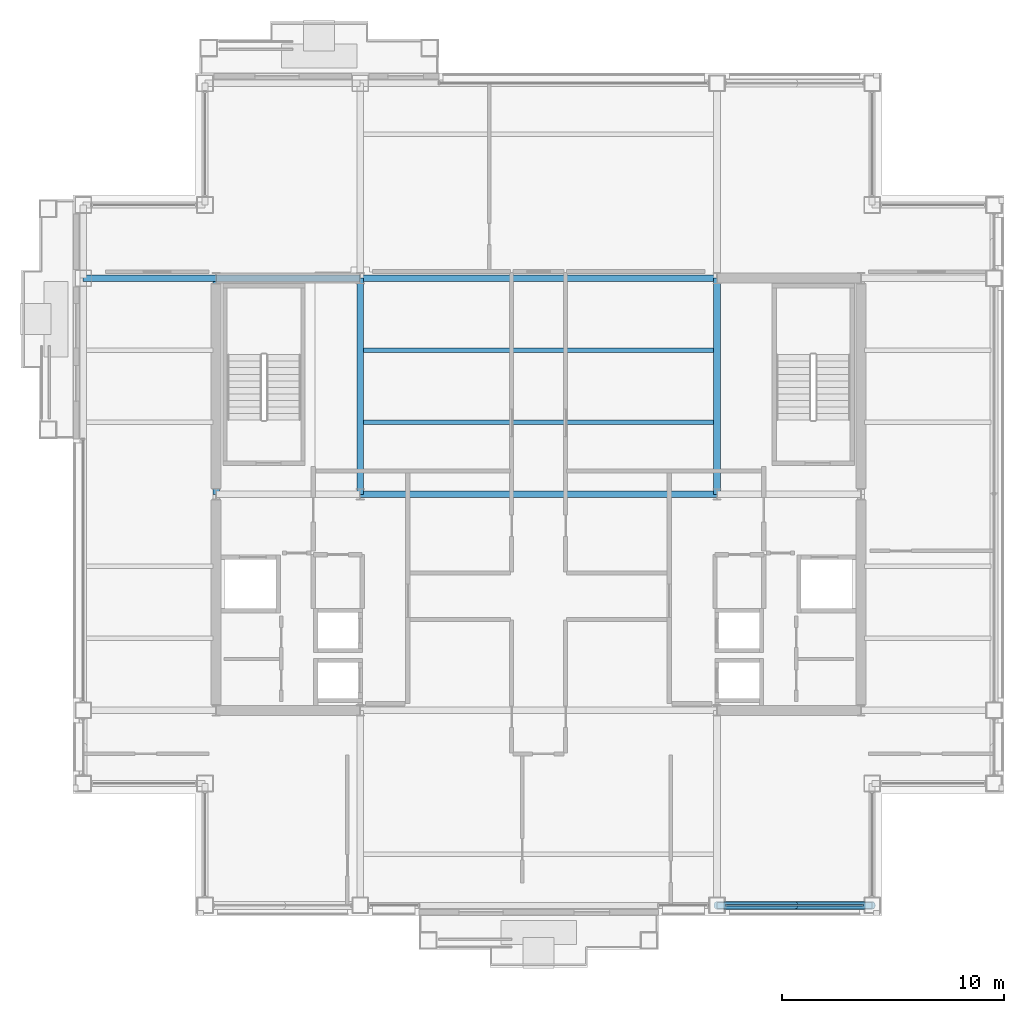
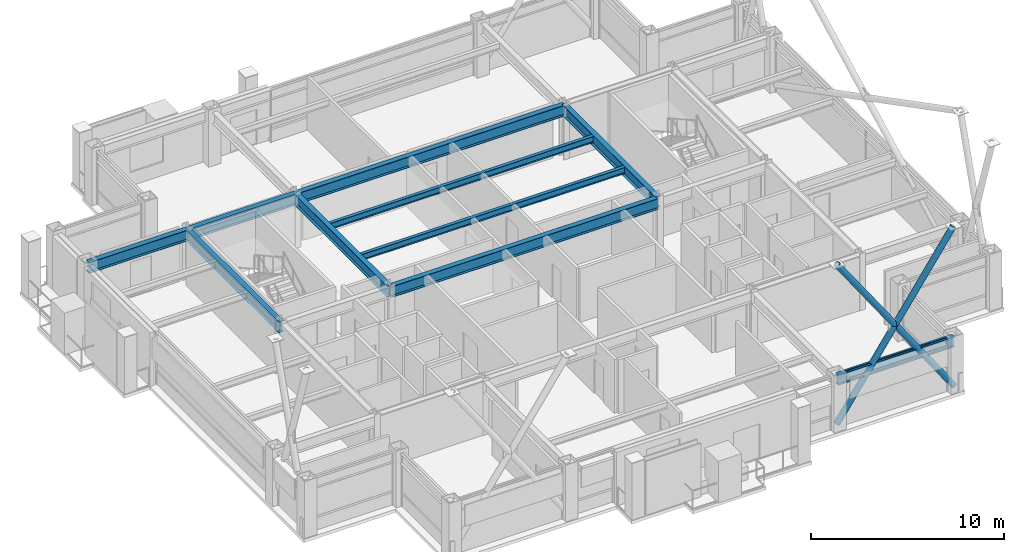
# One storey, part 12 of 32: 10 beams, 4 members, 1 element without a shape of its own.
"""IFC4 building model written with IfcOpenShell, lengths in metres."""

from ifc_helpers import new_model, si_unit, direction, frame, origin, origin_2d, place, context, subcontext, project, spatial, hollow_rectangle, hollow_circle, i_section, extrude, material, layer, layer_set, material_profile, profile_set, type_object, element, aggregate, save


model = new_model("IFC4")

# Units and contexts
model_context = context("Model", 3, precision=1e-05, world=origin(), true_north=direction((0.0, 1.0)))
body_context = subcontext(model_context, "Body", "Model", "MODEL_VIEW")
ifc_project = project(units=[si_unit("LENGTHUNIT", "METRE"), si_unit("AREAUNIT", "SQUARE_METRE"), si_unit("VOLUMEUNIT", "CUBIC_METRE"), si_unit("PLANEANGLEUNIT", "RADIAN"), si_unit("MASSUNIT", "GRAM", prefix="KILO")], contexts=[model_context])

# Site, building, storey
site_placement = place(None, origin())
site = spatial("IfcSite", under=ifc_project, at=site_placement, CompositionType="ELEMENT")
building_placement = place(site_placement, origin())
building = spatial("IfcBuilding", under=site, at=building_placement, Name="Brelmoor Portico Tower", CompositionType="ELEMENT")
storey_placement = place(building_placement, frame((0.0, 0.0, 162.300048828125)))
storey = spatial("IfcBuildingStorey", under=building, at=storey_placement, Name="L42", CompositionType="ELEMENT", Elevation=162.300048828125)

# Beams
ifc_material_1 = material(Name="Steel Q355B", Category="steel")
ifc_material_profile_1 = material_profile(ifc_material_1, i_section(OverallWidth=0.199951171875, OverallDepth=0.39990234375, WebThickness=0.008056640625, FlangeThickness=0.012939453125, at=origin_2d()), Name="HN 400x200x8x13")
ifc_profile_set_1 = profile_set([ifc_material_profile_1], Name="Steel Q355B")
beam_type_1 = type_object("IfcBeamType", Name="BM-JS-400", PredefinedType="JOIST", material=ifc_profile_set_1)
for number, where, z_axis, x_axis, name in (
    (1, (-7.89990234375, 3.25, 3.199951171875), (1.0, 0.0, 0.0), (0.0, 1.0, 0.0), "L42 Secondary Composite Joist JS-C02"),
    (2, (-7.89990234375, 6.5, 3.199951171875), (1.0, 0.0, 0.0), (0.0, 1.0, 0.0), "L42 Secondary Composite Joist JS-C03"),
):
    element("IfcBeam", number, at=place(storey_placement, frame(where, z_axis=z_axis, x_axis=x_axis)), inside=storey, type_object=beam_type_1, Name=name, PredefinedType="JOIST", context=body_context, shape_type="SweptSolid", body=[
        extrude(i_section(OverallWidth=0.199951171875, OverallDepth=0.39990234375, WebThickness=0.008056640625, FlangeThickness=0.012939453125, at=origin_2d()), origin(), (0.0, 0.0, 1.0), 15.7998046875),
    ])
ifc_material_profile_2 = material_profile(ifc_material_1, i_section(OverallWidth=0.300048828125, OverallDepth=0.699951171875, WebThickness=0.012939453125, FlangeThickness=0.02392578125, at=origin_2d()), Name="HN 700x300x13x24")
ifc_profile_set_2 = profile_set([ifc_material_profile_2], Name="Steel Q355B")
beam_type_2 = type_object("IfcBeamType", Name="BM-PG-700", PredefinedType="BEAM", material=ifc_profile_set_2)
for number, where, z_axis, x_axis, name in (
    (3, (-14.550048828125, 0.0, 3.050048828125), (0.0, 1.0, 0.0), (-1.0, 0.0, 0.0), "L42 Primary Floor Girder PG-02"),
    (4, (-8.050048828125, 0.0, 3.050048828125), (0.0, 1.0, 0.0), (-1.0, 0.0, 0.0), "L42 Primary Floor Girder PG-04"),
    (5, (8.050048828125, 0.0, 3.050048828125), (0.0, 1.0, 0.0), (-1.0, 0.0, 0.0), "L42 Primary Floor Girder PG-07"),
):
    element("IfcBeam", number, at=place(storey_placement, frame(where, z_axis=z_axis, x_axis=x_axis)), inside=storey, type_object=beam_type_2, Name=name, PredefinedType="BEAM", context=body_context, shape_type="SweptSolid", body=[
        extrude(i_section(OverallWidth=0.300048828125, OverallDepth=0.699951171875, WebThickness=0.012939453125, FlangeThickness=0.02392578125, at=origin_2d()), origin(), (0.0, 0.0, 1.0), 9.75),
    ])
beam_1_placement = place(storey_placement, frame((-8.050048828125, 0.0, 3.050048828125), z_axis=(1.0, 0.0, 0.0), x_axis=(0.0, 1.0, 0.0)))
element("IfcBeam", 6, at=beam_1_placement, inside=storey, type_object=beam_type_2, Name="L42 Primary Floor Girder PG-17", PredefinedType="BEAM", context=body_context, shape_type="SweptSolid", body=[
    extrude(i_section(OverallWidth=0.300048828125, OverallDepth=0.699951171875, WebThickness=0.012939453125, FlangeThickness=0.02392578125, at=origin_2d()), origin(), (0.0, 0.0, 1.0), 16.10009765625),
])
beam_2_placement = place(storey_placement, frame((-20.550048828125, 9.75, 3.050048828125), z_axis=(1.0, 0.0, 0.0), x_axis=(0.0, 1.0, 0.0)))
element("IfcBeam", 7, at=beam_2_placement, inside=storey, type_object=beam_type_2, Name="L42 Primary Floor Girder PG-19", PredefinedType="BEAM", context=body_context, shape_type="SweptSolid", body=[
    extrude(i_section(OverallWidth=0.300048828125, OverallDepth=0.699951171875, WebThickness=0.012939453125, FlangeThickness=0.02392578125, at=origin_2d()), origin(), (0.0, 0.0, 1.0), 6.0),
])
beam_3_placement = place(storey_placement, frame((-14.550048828125, 9.75, 3.050048828125), z_axis=(1.0, 0.0, 0.0), x_axis=(0.0, 1.0, 0.0)))
element("IfcBeam", 8, at=beam_3_placement, inside=storey, type_object=beam_type_2, Name="L42 Primary Floor Girder PG-20", PredefinedType="BEAM", context=body_context, shape_type="SweptSolid", body=[
    extrude(i_section(OverallWidth=0.300048828125, OverallDepth=0.699951171875, WebThickness=0.012939453125, FlangeThickness=0.02392578125, at=origin_2d()), origin(), (0.0, 0.0, 1.0), 6.5),
])
beam_4_placement = place(storey_placement, frame((-8.050048828125, 9.75, 3.050048828125), z_axis=(1.0, 0.0, 0.0), x_axis=(0.0, 1.0, 0.0)))
element("IfcBeam", 9, at=beam_4_placement, inside=storey, type_object=beam_type_2, Name="L42 Primary Floor Girder PG-21", PredefinedType="BEAM", context=body_context, shape_type="SweptSolid", body=[
    extrude(i_section(OverallWidth=0.300048828125, OverallDepth=0.699951171875, WebThickness=0.012939453125, FlangeThickness=0.02392578125, at=origin_2d()), origin(), (0.0, 0.0, 1.0), 16.10009765625),
])
ifc_material_profile_3 = material_profile(ifc_material_1, i_section(OverallWidth=0.280029296875, OverallDepth=0.64990234375, WebThickness=0.012939453125, FlangeThickness=0.02197265625, at=origin_2d()), Name="HN 650x280x13x22")
ifc_profile_set_3 = profile_set([ifc_material_profile_3], Name="Steel Q355B")
beam_type_3 = type_object("IfcBeamType", Name="BM-SP-650", PredefinedType="SPANDREL", material=ifc_profile_set_3)
beam_5_placement = place(storey_placement, frame((8.050048828125, -18.550048828125, 3.074951171875), z_axis=(1.0, 0.0, 0.0), x_axis=(0.0, 1.0, 0.0)))
element("IfcBeam", 10, at=beam_5_placement, inside=storey, type_object=beam_type_3, Name="L42 Perimeter Spandrel Beam SP-03", PredefinedType="SPANDREL", context=body_context, shape_type="SweptSolid", body=[
    extrude(i_section(OverallWidth=0.280029296875, OverallDepth=0.64990234375, WebThickness=0.012939453125, FlangeThickness=0.02197265625, at=origin_2d()), origin(), (0.0, 0.0, 1.0), 7.0),
])

# Members
ifc_material_profile_4 = material_profile(ifc_material_1, hollow_circle(Radius=0.177978515625, WallThickness=0.01611328125, at=origin_2d()), Name="CHS 356x16")
ifc_profile_set_4 = profile_set([ifc_material_profile_4], Name="Steel Q355B")
member_type_1 = type_object("IfcMemberType", Name="MB-BELT-DIAG2", PredefinedType="BRACE", material=ifc_profile_set_4)
member_1_placement = place(storey_placement, frame((8.050048828125, -18.550048828125, 0.25), z_axis=(0.569638640345, 0.0, 0.821895260618), x_axis=(0.0, 1.0, 0.0)))
element("IfcMember", 11, at=member_1_placement, inside=storey, type_object=member_type_1, Name="L42 Continuous Mega-X Brace 092A", PredefinedType="BRACE", context=body_context, shape_type="SweptSolid", body=[
    extrude(hollow_circle(Radius=0.177978515625, WallThickness=0.01611328125, at=origin_2d()), origin(), (0.0, 0.0, 1.0), 12.28857421875),
])
member_2_placement = place(storey_placement, frame((15.050048828125, -18.550048828125, 0.25), z_axis=(-0.569629338867, 0.0, 0.821901707203), x_axis=(0.0, -1.0, 0.0)))
element("IfcMember", 12, at=member_2_placement, inside=storey, type_object=member_type_1, Name="L42 Split Mega-X Brace 092B1", PredefinedType="BRACE", context=body_context, shape_type="SweptSolid", body=[
    extrude(hollow_circle(Radius=0.177978515625, WallThickness=0.01611328125, at=origin_2d()), origin(), (0.0, 0.0, 1.0), 6.144287109375),
])
member_3_placement = place(storey_placement, frame((11.550048828125, -18.550048828125, 5.300048828125), z_axis=(-0.569647942054, 0.0, 0.821888813717), x_axis=(0.0, -1.0, 0.0)))
element("IfcMember", 13, at=member_3_placement, inside=storey, type_object=member_type_1, Name="L42 Split Mega-X Brace 092B2", PredefinedType="BRACE", context=body_context, shape_type="SweptSolid", body=[
    extrude(hollow_circle(Radius=0.177978515625, WallThickness=0.01611328125, at=origin_2d()), origin(), (0.0, 0.0, 1.0), 6.14404296875),
])

# Curtain wall, member
ifc_material_2 = material(Name="Anodised Aluminium Alloy 6063-T6", Category="aluminium")
ifc_layer = layer(ifc_material_2, 0.179931640625)
ifc_layer_set = layer_set([ifc_layer], Name="Anodised Aluminium Alloy 6063-T6")
curtain_wall_type = type_object("IfcCurtainWallType", Name="CW-TOWER-Z3-XB", PredefinedType="NOTDEFINED", material=ifc_layer_set)
curtain_wall_placement = place(storey_placement, origin())
curtain_wall = element("IfcCurtainWall", 14, at=curtain_wall_placement, inside=storey, type_object=curtain_wall_type, Name="L42 Curtain Wall CW-L42-1R-2", PredefinedType="NOTDEFINED")
ifc_material_profile_5 = material_profile(ifc_material_2, hollow_rectangle(XDim=0.06005859375, YDim=0.125, WallThickness=0.00341796875, at=origin_2d()), Name="ALU TRANSOM 60x125")
ifc_profile_set_5 = profile_set([ifc_material_profile_5], Name="Anodised Aluminium Alloy 6063-T6")
member_type_2 = type_object("IfcMemberType", Name="MB-CW-TRAN-125", PredefinedType="USERDEFINED", material=ifc_profile_set_5)
member_4_placement = place(storey_placement, frame((8.43505859375, -18.550048828125, 3.33740234375), z_axis=(1.0, 0.0, 0.0), x_axis=(0.0, 1.0, 0.0)))
member_4 = element("IfcMember", 15, at=member_4_placement, type_object=member_type_2, Name="CW-L42-1R-2 Transom 1-00", ObjectType="TRANSOM", PredefinedType="USERDEFINED", context=body_context, shape_type="SweptSolid", body=[
    extrude(hollow_rectangle(XDim=0.06005859375, YDim=0.125, WallThickness=0.00341796875, at=origin_2d()), origin(), (0.0, 0.0, 1.0), 6.22998046875),
])
aggregate(curtain_wall, [member_4])

save(model, "model.ifc")
